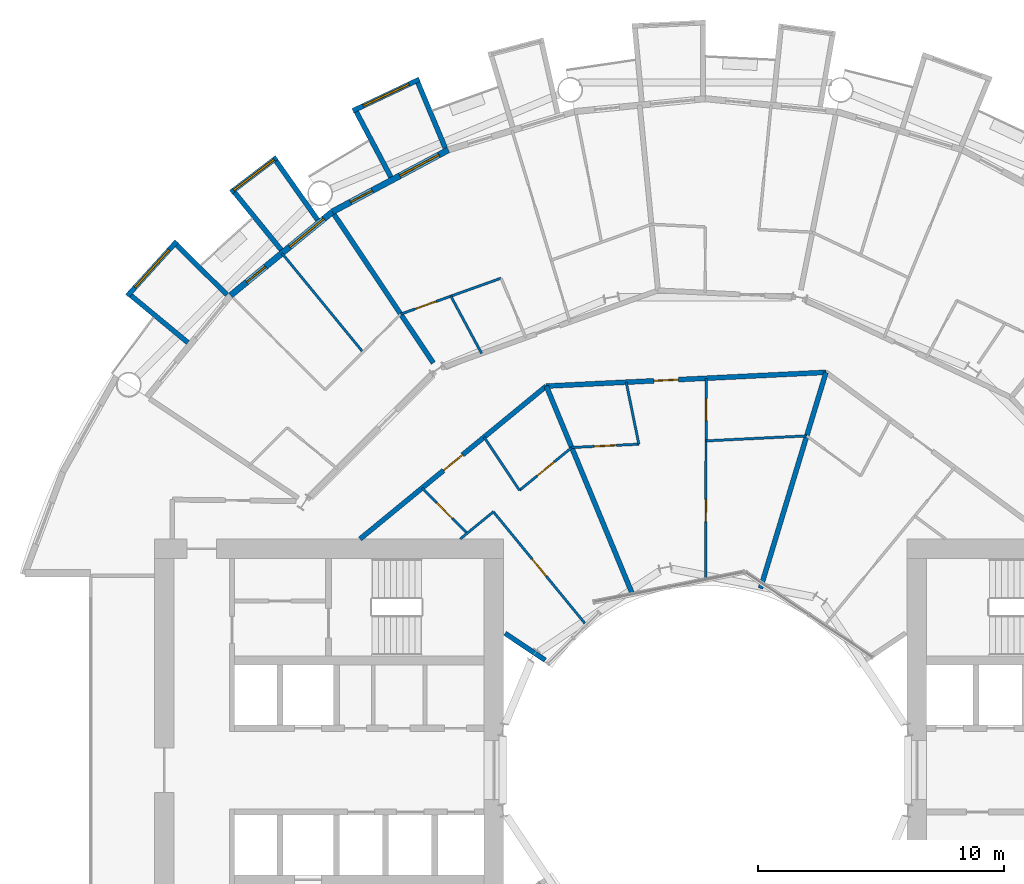
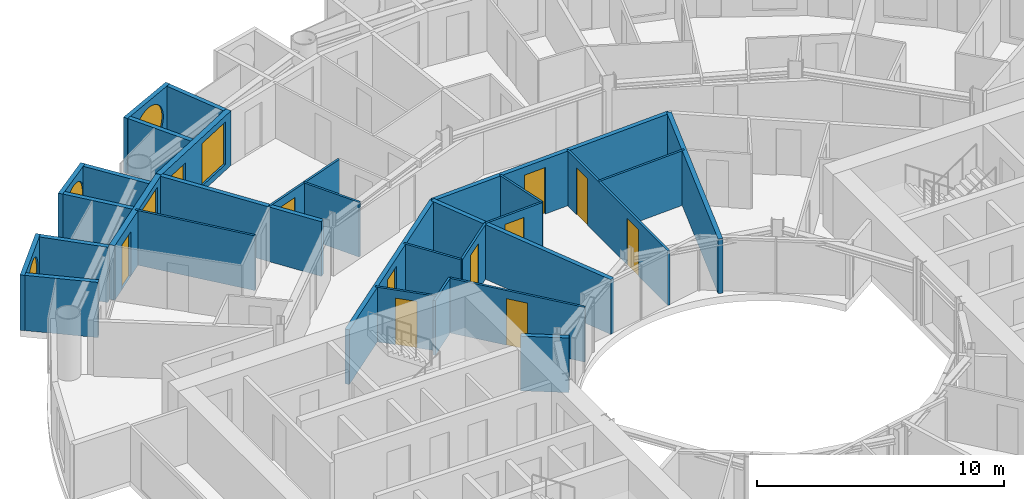
# One storey, part 19 of 26: 29 walls, 11 doors, 5 windows, 16 openings.
"""IFC4 building model written with IfcOpenShell, lengths in metres."""

from ifc_helpers import new_model, si_unit, direction, frame, frame_2d, origin, place, context, subcontext, project, spatial, rectangle, circle, extrude, material, layer, layer_set, type_object, element, fill, save


model = new_model("IFC4")

# Units and contexts
model_context = context("Model", 3, precision=1e-05, world=origin(), true_north=direction((0.0, 1.0)))
body_context = subcontext(model_context, "Body", "Model", "MODEL_VIEW")
ifc_project = project(units=[si_unit("LENGTHUNIT", "METRE"), si_unit("AREAUNIT", "SQUARE_METRE"), si_unit("VOLUMEUNIT", "CUBIC_METRE"), si_unit("PLANEANGLEUNIT", "RADIAN"), si_unit("MASSUNIT", "GRAM", prefix="KILO")], contexts=[model_context])

# Site, building, storey
site_placement = place(None, origin())
site = spatial("IfcSite", under=ifc_project, at=site_placement, CompositionType="ELEMENT")
building_placement = place(site_placement, origin())
building = spatial("IfcBuilding", under=site, at=building_placement, Name="Maasbend Ring Residences", CompositionType="ELEMENT")
storey_placement = place(building_placement, frame((0.0, 0.0, 44.14990234375)))
storey = spatial("IfcBuildingStorey", under=building, at=storey_placement, Name="L12", CompositionType="ELEMENT", Elevation=44.14990234375)

# Wall, opening, door
ifc_material_1 = material(Name="Concrete C30/37", Category="concrete")
ifc_layer_1 = layer(ifc_material_1, 0.199951171875)
ifc_layer_set_1 = layer_set([ifc_layer_1], Name="Concrete C30/37")
wall_type_1 = type_object("IfcWallType", Name="CORRIDOR WALL 200 CONCRETE", PredefinedType="PARTITIONING", material=ifc_layer_set_1)
wall_1_placement = place(storey_placement, frame((-6.471923828125, 15.613037109375, 0.0), z_axis=(0.0, 0.0, 1.0), x_axis=(0.998789903976, 0.049180562371, 0.0)))
wall_1 = element("IfcWall", 1, at=wall_1_placement, inside=storey, type_object=wall_type_1, Name="U-L12-w103", PredefinedType="PARTITIONING", context=body_context, shape_type="SweptSolid", body=[
    extrude(rectangle(XDim=11.3876953125, YDim=0.199951171875, at=frame_2d((5.69384765625, 0.0))), origin(), (0.0, 0.0, 1.0), 2.7001953125),
])
opening_1_placement = place(wall_1_placement, frame((4.383056640625, 0.0, 0.0)))
opening_1 = element("IfcOpeningElement", 2, at=opening_1_placement, cuts=wall_1, Name="Opening D-1227", PredefinedType="OPENING", context=body_context, shape_type="SweptSolid", body=[
    extrude(rectangle(XDim=1.0, YDim=2.300048828125, at=frame_2d((0.5, 1.14990234375))), frame((0.0, 0.10986328125, 0.0), z_axis=(0.0, -1.0, 0.0), x_axis=(1.0, 0.0, 0.0)), (0.0, 0.0, 1.0), 0.219970703125),
])
ifc_material_2 = material(Name="Timber, fire-rated, painted", Category="wood")
door_type_1 = type_object("IfcDoorType", Name="FLAT ENTRANCE DOOR 1000 X 2300 FIRE-RATED", OperationType="NOTDEFINED", PredefinedType="DOOR", material=ifc_material_2)
door_1_placement = place(opening_1_placement, origin())
door_1 = element("IfcDoor", 3, at=door_1_placement, inside=storey, type_object=door_type_1, Name="D-1227", OperationType="SINGLE_SWING_LEFT", OverallHeight=2.300048828125, OverallWidth=1.0, PredefinedType="DOOR", context=body_context, shape_type="SweptSolid", body=[
    extrude(rectangle(XDim=1.0, YDim=2.300048828125, at=frame_2d((0.5, 1.14990234375))), frame((0.0, 0.02490234375, 0.0), z_axis=(0.0, -1.0, 0.0), x_axis=(1.0, 0.0, 0.0)), (0.0, 0.0, 1.0), 0.050048828125),
])
fill(opening_1, door_1)

wall_2_placement = place(storey_placement, frame((-14.0390625, 9.39990234375, 0.0), z_axis=(0.0, 0.0, 1.0), x_axis=(0.77298340166, 0.634426245326, 0.0)))
wall_2 = element("IfcWall", 4, at=wall_2_placement, inside=storey, type_object=wall_type_1, Name="U-L12-w105", PredefinedType="PARTITIONING", context=body_context, shape_type="SweptSolid", body=[
    extrude(rectangle(XDim=9.793212890625, YDim=0.199951171875, at=frame_2d((4.896484375, 0.0))), origin(), (0.0, 0.0, 1.0), 2.7001953125),
])
opening_2_placement = place(wall_2_placement, frame((4.388916015625, 0.0, 0.0)))
opening_2 = element("IfcOpeningElement", 5, at=opening_2_placement, cuts=wall_2, Name="Opening D-1231", PredefinedType="OPENING", context=body_context, shape_type="SweptSolid", body=[
    extrude(rectangle(XDim=1.0, YDim=2.300048828125, at=frame_2d((0.5, 1.14990234375))), frame((0.0, 0.10986328125, 0.0), z_axis=(0.0, -1.0, 0.0), x_axis=(1.0, 0.0, 0.0)), (0.0, 0.0, 1.0), 0.219970703125),
])
door_2_placement = place(opening_2_placement, origin())
door_2 = element("IfcDoor", 6, at=door_2_placement, inside=storey, type_object=door_type_1, Name="D-1231", OperationType="SINGLE_SWING_LEFT", OverallHeight=2.300048828125, OverallWidth=1.0, PredefinedType="DOOR", context=body_context, shape_type="SweptSolid", body=[
    extrude(rectangle(XDim=1.0, YDim=2.300048828125, at=frame_2d((0.5, 1.14990234375))), frame((0.0, 0.02490234375, 0.0), z_axis=(0.0, -1.0, 0.0), x_axis=(1.0, 0.0, 0.0)), (0.0, 0.0, 1.0), 0.050048828125),
])
fill(opening_2, door_2)

# Wall, opening, window
ifc_material_3 = material(Name="Pale anodised aluminium panel", Category="aluminium")
ifc_layer_2 = layer(ifc_material_3, 0.199951171875)
ifc_layer_set_2 = layer_set([ifc_layer_2], Name="EW-BOX")
wall_type_2 = type_object("IfcWallType", Name="EW-BOX", PredefinedType="SOLIDWALL", material=ifc_layer_set_2)
wall_3_placement = place(storey_placement, frame((-11.62890625, 28.087890625, -0.02978515625), z_axis=(0.0, 0.0, 1.0), x_axis=(-0.904000060331, -0.427532327342, 0.0)))
wall_3 = element("IfcWall", 7, at=wall_3_placement, inside=storey, type_object=wall_type_2, Name="Box front N15", PredefinedType="SOLIDWALL", context=body_context, shape_type="SweptSolid", body=[
    extrude(rectangle(XDim=2.993408203125, YDim=0.199951171875, at=frame_2d((1.49658203125, 0.0))), origin(), (0.0, 0.0, 1.0), 2.72998046875),
])
opening_3_placement = place(wall_3_placement, frame((0.45654296875, 0.0, 0.330078125)))
opening_3 = element("IfcOpeningElement", 8, at=opening_3_placement, cuts=wall_3, Name="Opening W-RD", PredefinedType="OPENING", context=body_context, shape_type="SweptSolid", body=[
    extrude(circle(Radius=1.0400390625, at=frame_2d((1.0400390625, 1.0400390625))), frame((0.0, 0.10986328125, 0.0), z_axis=(0.0, -1.0, 0.0), x_axis=(1.0, 0.0, 0.0)), (0.0, 0.0, 1.0), 0.219970703125),
])
ifc_material_4 = material(Name="Aluminium and clear glass", Category="aluminium")
window_type_1 = type_object("IfcWindowType", Name="W-RD", PartitioningType="SINGLE_PANEL", PredefinedType="WINDOW", material=ifc_material_4)
window_1_placement = place(opening_3_placement, origin())
window_1 = element("IfcWindow", 9, at=window_1_placement, inside=storey, type_object=window_type_1, Name="Round window N15", OverallHeight=2.080078125, OverallWidth=2.080078125, PartitioningType="SINGLE_PANEL", PredefinedType="WINDOW", context=body_context, shape_type="SweptSolid", body=[
    extrude(circle(Radius=1.0400390625, at=frame_2d((1.0400390625, 1.0400390625))), frame((0.0, 0.030029296875, 0.0), z_axis=(0.0, -1.0, 0.0), x_axis=(1.0, 0.0, 0.0)), (0.0, 0.0, 1.0), 0.06005859375),
])
fill(opening_3, window_1)

# Walls
wall_4_placement = place(storey_placement, frame((-10.574951171875, 25.294921875, -0.02978515625), z_axis=(0.0, 0.0, 1.0), x_axis=(-0.385697364644, 0.922625353492, 0.0)))
element("IfcWall", 10, at=wall_4_placement, inside=storey, type_object=wall_type_2, Name="Box side wall N15 left", PredefinedType="SOLIDWALL", context=body_context, shape_type="SweptSolid", body=[
    extrude(rectangle(XDim=2.88330078125, YDim=0.199951171875, at=frame_2d((1.441650390625, 0.0))), origin(), (0.0, 0.0, 1.0), 2.72998046875),
])
wall_5_placement = place(storey_placement, frame((-12.787109375, 24.113037109375, -0.02978515625), z_axis=(0.0, 0.0, 1.0), x_axis=(-0.468365282436, 0.883534924159, 0.0)))
element("IfcWall", 11, at=wall_5_placement, inside=storey, type_object=wall_type_2, Name="Box side wall N15 right", PredefinedType="SOLIDWALL", context=body_context, shape_type="SweptSolid", body=[
    extrude(rectangle(XDim=3.006103515625, YDim=0.199951171875, at=frame_2d((1.5029296875, 0.0))), origin(), (0.0, 0.0, 1.0), 2.72998046875),
])

# Wall, opening, window
wall_6_placement = place(storey_placement, frame((-17.427001953125, 24.908935546875, -0.02978515625), z_axis=(0.0, 0.0, 1.0), x_axis=(-0.796842165306, -0.60418752353, 0.0)))
wall_6 = element("IfcWall", 12, at=wall_6_placement, inside=storey, type_object=wall_type_2, Name="Box front N17", PredefinedType="SOLIDWALL", context=body_context, shape_type="SweptSolid", body=[
    extrude(rectangle(XDim=2.3369140625, YDim=0.199951171875, at=frame_2d((1.16845703125, 0.0))), origin(), (0.0, 0.0, 1.0), 2.72998046875),
])
opening_4_placement = place(wall_6_placement, frame((0.128173828125, 0.0, 0.330078125)))
opening_4 = element("IfcOpeningElement", 13, at=opening_4_placement, cuts=wall_6, Name="Opening W-RD", PredefinedType="OPENING", context=body_context, shape_type="SweptSolid", body=[
    extrude(circle(Radius=1.0400390625, at=frame_2d((1.0400390625, 1.0400390625))), frame((0.0, 0.10986328125, 0.0), z_axis=(0.0, -1.0, 0.0), x_axis=(1.0, 0.0, 0.0)), (0.0, 0.0, 1.0), 0.219970703125),
])
window_2_placement = place(opening_4_placement, origin())
window_2 = element("IfcWindow", 14, at=window_2_placement, inside=storey, type_object=window_type_1, Name="Round window N17", OverallHeight=2.080078125, OverallWidth=2.080078125, PartitioningType="SINGLE_PANEL", PredefinedType="WINDOW", context=body_context, shape_type="SweptSolid", body=[
    extrude(circle(Radius=1.0400390625, at=frame_2d((1.0400390625, 1.0400390625))), frame((0.0, 0.030029296875, 0.0), z_axis=(0.0, -1.0, 0.0), x_axis=(1.0, 0.0, 0.0)), (0.0, 0.0, 1.0), 0.06005859375),
])
fill(opening_4, window_2)

# Walls
wall_7_placement = place(storey_placement, frame((-15.764892578125, 22.3701171875, -0.02978515625), z_axis=(0.0, 0.0, 1.0), x_axis=(-0.576274612209, 0.817256123454, 0.0)))
element("IfcWall", 15, at=wall_7_placement, inside=storey, type_object=wall_type_2, Name="Box side wall N17 left", PredefinedType="SOLIDWALL", context=body_context, shape_type="SweptSolid", body=[
    extrude(rectangle(XDim=2.932861328125, YDim=0.199951171875, at=frame_2d((1.46630859375, 0.0))), origin(), (0.0, 0.0, 1.0), 2.72998046875),
])
wall_8_placement = place(storey_placement, frame((-17.24609375, 21.155029296875, -0.02978515625), z_axis=(0.0, 0.0, 1.0), x_axis=(-0.631741648902, 0.775179004516, 0.0)))
element("IfcWall", 16, at=wall_8_placement, inside=storey, type_object=wall_type_2, Name="Box side wall N17 right", PredefinedType="SOLIDWALL", context=body_context, shape_type="SweptSolid", body=[
    extrude(rectangle(XDim=3.005859375, YDim=0.199951171875, at=frame_2d((1.5029296875, 0.0))), origin(), (0.0, 0.0, 1.0), 2.72998046875),
])

# Wall, opening, window
wall_9_placement = place(storey_placement, frame((-21.492919921875, 21.5, -0.02978515625), z_axis=(0.0, 0.0, 1.0), x_axis=(-0.671506829416, -0.740998365753, 0.0)))
wall_9 = element("IfcWall", 17, at=wall_9_placement, inside=storey, type_object=wall_type_2, Name="Box front N19", PredefinedType="SOLIDWALL", context=body_context, shape_type="SweptSolid", body=[
    extrude(rectangle(XDim=2.9931640625, YDim=0.199951171875, at=frame_2d((1.49658203125, 0.0))), origin(), (0.0, 0.0, 1.0), 2.72998046875),
])
opening_5_placement = place(wall_9_placement, frame((0.45654296875, 0.0, 0.330078125)))
opening_5 = element("IfcOpeningElement", 18, at=opening_5_placement, cuts=wall_9, Name="Opening W-RD", PredefinedType="OPENING", context=body_context, shape_type="SweptSolid", body=[
    extrude(circle(Radius=1.0400390625, at=frame_2d((1.0400390625, 1.0400390625))), frame((0.0, 0.10986328125, 0.0), z_axis=(0.0, -1.0, 0.0), x_axis=(1.0, 0.0, 0.0)), (0.0, 0.0, 1.0), 0.219970703125),
])
window_3_placement = place(opening_5_placement, origin())
window_3 = element("IfcWindow", 19, at=window_3_placement, inside=storey, type_object=window_type_1, Name="Round window N19", OverallHeight=2.080078125, OverallWidth=2.080078125, PartitioningType="SINGLE_PANEL", PredefinedType="WINDOW", context=body_context, shape_type="SweptSolid", body=[
    extrude(circle(Radius=1.0400390625, at=frame_2d((1.0400390625, 1.0400390625))), frame((0.0, 0.030029296875, 0.0), z_axis=(0.0, -1.0, 0.0), x_axis=(1.0, 0.0, 0.0)), (0.0, 0.0, 1.0), 0.06005859375),
])
fill(opening_5, window_3)

# Walls
wall_10_placement = place(storey_placement, frame((-19.449951171875, 19.322998046875, -0.02978515625), z_axis=(0.0, 0.0, 1.0), x_axis=(-0.709727076896, 0.704476739375, 0.0)))
element("IfcWall", 20, at=wall_10_placement, inside=storey, type_object=wall_type_2, Name="Box side wall N19 left", PredefinedType="SOLIDWALL", context=body_context, shape_type="SweptSolid", body=[
    extrude(rectangle(XDim=2.883056640625, YDim=0.199951171875, at=frame_2d((1.44140625, 0.0))), origin(), (0.0, 0.0, 1.0), 2.72998046875),
])
wall_11_placement = place(storey_placement, frame((-21.041015625, 17.384033203125, -0.02978515625), z_axis=(0.0, 0.0, 1.0), x_axis=(-0.770784861449, 0.63709551667, 0.0)))
element("IfcWall", 21, at=wall_11_placement, inside=storey, type_object=wall_type_2, Name="Box side wall N19 right", PredefinedType="SOLIDWALL", context=body_context, shape_type="SweptSolid", body=[
    extrude(rectangle(XDim=3.005859375, YDim=0.199951171875, at=frame_2d((1.5029296875, 0.0))), origin(), (0.0, 0.0, 1.0), 2.72998046875),
])

# Wall, openings, door, window
ifc_material_5 = material(Name="Aluminium clad insulated panel", Category="aluminium")
ifc_layer_3 = layer(ifc_material_5, 0.25)
ifc_layer_set_3 = layer_set([ifc_layer_3], Name="EW-GL")
wall_type_3 = type_object("IfcWallType", Name="EW-GL", PredefinedType="SOLIDWALL", material=ifc_layer_set_3)
wall_12_placement = place(storey_placement, frame((-10.447021484375, 25.221923828125, 0.0), z_axis=(0.0, 0.0, 1.0), x_axis=(-0.881915646801, -0.471407246368, 0.0)))
wall_12 = element("IfcWall", 22, at=wall_12_placement, inside=storey, type_object=wall_type_3, Name="External wall N08", PredefinedType="SOLIDWALL", context=body_context, shape_type="SweptSolid", body=[
    extrude(rectangle(XDim=5.35205078125, YDim=0.25, at=frame_2d((2.676025390625, 0.0))), origin(), (0.0, 0.0, 1.0), 2.7001953125),
])
opening_6_placement = place(wall_12_placement, frame((0.441162109375, 0.0, 0.300048828125)))
opening_6 = element("IfcOpeningElement", 23, at=opening_6_placement, cuts=wall_12, Name="Opening W-BX", PredefinedType="OPENING", context=body_context, shape_type="SweptSolid", body=[
    extrude(rectangle(XDim=1.800048828125, YDim=2.10009765625, at=frame_2d((0.89990234375, 1.050048828125))), frame((0.0, 0.135009765625, 0.0), z_axis=(0.0, -1.0, 0.0), x_axis=(1.0, 0.0, 0.0)), (0.0, 0.0, 1.0), 0.27001953125),
])
opening_7_placement = place(wall_12_placement, frame((3.510498046875, 0.0, 0.0)))
opening_7 = element("IfcOpeningElement", 24, at=opening_7_placement, cuts=wall_12, Name="Opening D-LG", PredefinedType="OPENING", context=body_context, shape_type="SweptSolid", body=[
    extrude(rectangle(XDim=1.0, YDim=2.199951171875, at=frame_2d((0.5, 1.10009765625))), frame((0.0, 0.135009765625, 0.0), z_axis=(0.0, -1.0, 0.0), x_axis=(1.0, 0.0, 0.0)), (0.0, 0.0, 1.0), 0.27001953125),
])
ifc_material_6 = material(Name="Aluminium and clear glass", Category="aluminium")
door_type_2 = type_object("IfcDoorType", Name="D-LG", OperationType="SINGLE_SWING_LEFT", PredefinedType="DOOR", material=ifc_material_6)
door_3_placement = place(opening_7_placement, origin())
door_3 = element("IfcDoor", 25, at=door_3_placement, inside=storey, type_object=door_type_2, Name="Loggia door N16", OperationType="SINGLE_SWING_LEFT", OverallHeight=2.199951171875, OverallWidth=1.0, PredefinedType="DOOR", context=body_context, shape_type="SweptSolid", body=[
    extrude(rectangle(XDim=1.0, YDim=2.199951171875, at=frame_2d((0.5, 1.10009765625))), frame((0.0, 0.02490234375, 0.0), z_axis=(0.0, -1.0, 0.0), x_axis=(1.0, 0.0, 0.0)), (0.0, 0.0, 1.0), 0.050048828125),
])
fill(opening_7, door_3)
ifc_material_7 = material(Name="Aluminium and clear glass", Category="aluminium")
window_type_2 = type_object("IfcWindowType", Name="W-BX", PartitioningType="DOUBLE_PANEL_VERTICAL", PredefinedType="WINDOW", material=ifc_material_7)
window_4_placement = place(opening_6_placement, origin())
window_4 = element("IfcWindow", 26, at=window_4_placement, inside=storey, type_object=window_type_2, Name="Window N15 room to box", OverallHeight=2.10009765625, OverallWidth=1.800048828125, PartitioningType="SINGLE_PANEL", PredefinedType="WINDOW", context=body_context, shape_type="SweptSolid", body=[
    extrude(rectangle(XDim=1.800048828125, YDim=2.10009765625, at=frame_2d((0.89990234375, 1.050048828125))), frame((0.0, 0.030029296875, 0.0), z_axis=(0.0, -1.0, 0.0), x_axis=(1.0, 0.0, 0.0)), (0.0, 0.0, 1.0), 0.06005859375),
])
fill(opening_6, window_4)

wall_13_placement = place(storey_placement, frame((-15.1669921875, 22.698974609375, 0.0), z_axis=(0.0, 0.0, 1.0), x_axis=(-0.773019449054, -0.634382322723, 0.0)))
wall_13 = element("IfcWall", 27, at=wall_13_placement, inside=storey, type_object=wall_type_3, Name="External wall N09", PredefinedType="SOLIDWALL", context=body_context, shape_type="SweptSolid", body=[
    extrude(rectangle(XDim=5.351806640625, YDim=0.25, at=frame_2d((2.67578125, 0.0))), origin(), (0.0, 0.0, 1.0), 2.7001953125),
])
opening_8_placement = place(wall_13_placement, frame((0.441162109375, 0.0, 0.300048828125)))
opening_8 = element("IfcOpeningElement", 28, at=opening_8_placement, cuts=wall_13, Name="Opening W-BX", PredefinedType="OPENING", context=body_context, shape_type="SweptSolid", body=[
    extrude(rectangle(XDim=1.800048828125, YDim=2.10009765625, at=frame_2d((0.89990234375, 1.050048828125))), frame((0.0, 0.135009765625, 0.0), z_axis=(0.0, -1.0, 0.0), x_axis=(1.0, 0.0, 0.0)), (0.0, 0.0, 1.0), 0.27001953125),
])
opening_9_placement = place(wall_13_placement, frame((3.510498046875, 0.0, 0.0)))
opening_9 = element("IfcOpeningElement", 29, at=opening_9_placement, cuts=wall_13, Name="Opening D-LG", PredefinedType="OPENING", context=body_context, shape_type="SweptSolid", body=[
    extrude(rectangle(XDim=1.0, YDim=2.199951171875, at=frame_2d((0.5, 1.10009765625))), frame((0.0, 0.135009765625, 0.0), z_axis=(0.0, -1.0, 0.0), x_axis=(1.0, 0.0, 0.0)), (0.0, 0.0, 1.0), 0.27001953125),
])
door_4_placement = place(opening_9_placement, origin())
door_4 = element("IfcDoor", 30, at=door_4_placement, inside=storey, type_object=door_type_2, Name="Loggia door N18", OperationType="SINGLE_SWING_LEFT", OverallHeight=2.199951171875, OverallWidth=1.0, PredefinedType="DOOR", context=body_context, shape_type="SweptSolid", body=[
    extrude(rectangle(XDim=1.0, YDim=2.199951171875, at=frame_2d((0.5, 1.10009765625))), frame((0.0, 0.02490234375, 0.0), z_axis=(0.0, -1.0, 0.0), x_axis=(1.0, 0.0, 0.0)), (0.0, 0.0, 1.0), 0.050048828125),
])
fill(opening_9, door_4)
window_5_placement = place(opening_8_placement, origin())
window_5 = element("IfcWindow", 31, at=window_5_placement, inside=storey, type_object=window_type_2, Name="Window N17 room to box", OverallHeight=2.10009765625, OverallWidth=1.800048828125, PartitioningType="SINGLE_PANEL", PredefinedType="WINDOW", context=body_context, shape_type="SweptSolid", body=[
    extrude(rectangle(XDim=1.800048828125, YDim=2.10009765625, at=frame_2d((0.89990234375, 1.050048828125))), frame((0.0, 0.030029296875, 0.0), z_axis=(0.0, -1.0, 0.0), x_axis=(1.0, 0.0, 0.0)), (0.0, 0.0, 1.0), 0.06005859375),
])
fill(opening_8, window_5)

# Wall
ifc_material_8 = material(Name="Gypsum board on steel studs", Category="steel")
ifc_layer_4 = layer(ifc_material_8, 0.10009765625)
ifc_layer_set_4 = layer_set([ifc_layer_4], Name="PARTITION 100 GYPSUM")
wall_type_4 = type_object("IfcWallType", Name="PARTITION 100 GYPSUM", PredefinedType="PARTITIONING", material=ifc_layer_set_4)
wall_14_placement = place(storey_placement, frame((-17.220947265625, 21.02197265625, 0.0), z_axis=(0.0, 0.0, 1.0), x_axis=(0.633662498939, -0.773609615658, 0.0)))
element("IfcWall", 32, at=wall_14_placement, inside=storey, type_object=wall_type_4, Name="U-L12-w035", PredefinedType="PARTITIONING", context=body_context, shape_type="SweptSolid", body=[
    extrude(rectangle(XDim=5.195068359375, YDim=0.10009765625, at=frame_2d((2.59765625, 0.0))), origin(), (0.0, 0.0, 1.0), 2.7001953125),
])

# Wall, opening, door
wall_15_placement = place(storey_placement, frame((-11.52392578125, 11.464111328125, 0.0), z_axis=(0.0, 0.0, 1.0), x_axis=(0.708796844581, -0.705412668665, 0.0)))
wall_15 = element("IfcWall", 33, at=wall_15_placement, inside=storey, type_object=wall_type_4, Name="U-L12-w044", PredefinedType="PARTITIONING", context=body_context, shape_type="SweptSolid", body=[
    extrude(rectangle(XDim=2.59716796875, YDim=0.10009765625, at=frame_2d((1.298583984375, 0.0))), origin(), (0.0, 0.0, 1.0), 2.7001953125),
])
opening_10_placement = place(wall_15_placement, frame((0.84912109375, 0.0, 0.0)))
opening_10 = element("IfcOpeningElement", 34, at=opening_10_placement, cuts=wall_15, Name="Opening D-1233", PredefinedType="OPENING", context=body_context, shape_type="SweptSolid", body=[
    extrude(rectangle(XDim=0.89990234375, YDim=2.300048828125, at=frame_2d((0.449951171875, 1.14990234375))), frame((0.0, 0.06005859375, 0.0), z_axis=(0.0, -1.0, 0.0), x_axis=(1.0, 0.0, 0.0)), (0.0, 0.0, 1.0), 0.1201171875),
])
ifc_material_9 = material(Name="Timber, painted", Category="wood")
door_type_3 = type_object("IfcDoorType", Name="INTERNAL DOOR 900 X 2300", OperationType="NOTDEFINED", PredefinedType="DOOR", material=ifc_material_9)
door_5_placement = place(opening_10_placement, origin())
door_5 = element("IfcDoor", 35, at=door_5_placement, inside=storey, type_object=door_type_3, Name="D-1233", OperationType="SINGLE_SWING_RIGHT", OverallHeight=2.300048828125, OverallWidth=0.89990234375, PredefinedType="DOOR", context=body_context, shape_type="SweptSolid", body=[
    extrude(rectangle(XDim=0.89990234375, YDim=2.300048828125, at=frame_2d((0.449951171875, 1.14990234375))), frame((0.0, 0.02490234375, 0.0), z_axis=(0.0, -1.0, 0.0), x_axis=(1.0, 0.0, 0.0)), (0.0, 0.0, 1.0), 0.050048828125),
])
fill(opening_10, door_5)

# Walls
wall_16_placement = place(storey_placement, frame((-10.34912109375, 19.27197265625, 0.0), z_axis=(0.0, 0.0, 1.0), x_axis=(0.473203488521, -0.880953153381, 0.0)))
element("IfcWall", 36, at=wall_16_placement, inside=storey, type_object=wall_type_4, Name="U-L12-w046", PredefinedType="PARTITIONING", context=body_context, shape_type="SweptSolid", body=[
    extrude(rectangle(XDim=2.648193359375, YDim=0.10009765625, at=frame_2d((1.32421875, 0.0))), origin(), (0.0, 0.0, 1.0), 2.7001953125),
])
wall_17_placement = place(storey_placement, frame((-8.99609375, 13.5390625, 0.0), z_axis=(0.0, 0.0, 1.0), x_axis=(0.553615197403, -0.83277260594, 0.0)))
element("IfcWall", 37, at=wall_17_placement, inside=storey, type_object=wall_type_4, Name="U-L12-w048", PredefinedType="PARTITIONING", context=body_context, shape_type="SweptSolid", body=[
    extrude(rectangle(XDim=2.597412109375, YDim=0.10009765625, at=frame_2d((1.298828125, 0.0))), origin(), (0.0, 0.0, 1.0), 2.7001953125),
])

# Wall, opening, door
wall_18_placement = place(storey_placement, frame((-8.6201171875, 10.50390625, 0.0), z_axis=(0.0, 0.0, 1.0), x_axis=(0.634358693064, -0.773038840249, 0.0)))
wall_18 = element("IfcWall", 38, at=wall_18_placement, inside=storey, type_object=wall_type_4, Name="U-L12-w050", PredefinedType="PARTITIONING", context=body_context, shape_type="SweptSolid", body=[
    extrude(rectangle(XDim=5.86767578125, YDim=0.10009765625, at=frame_2d((2.933837890625, 0.0))), origin(), (0.0, 0.0, 1.0), 2.7001953125),
])
opening_11_placement = place(wall_18_placement, frame((2.48388671875, 0.0, 0.0)))
opening_11 = element("IfcOpeningElement", 39, at=opening_11_placement, cuts=wall_18, Name="Opening D-1234", PredefinedType="OPENING", context=body_context, shape_type="SweptSolid", body=[
    extrude(rectangle(XDim=0.89990234375, YDim=2.300048828125, at=frame_2d((0.449951171875, 1.14990234375))), frame((0.0, 0.06005859375, 0.0), z_axis=(0.0, -1.0, 0.0), x_axis=(1.0, 0.0, 0.0)), (0.0, 0.0, 1.0), 0.1201171875),
])
door_6_placement = place(opening_11_placement, origin())
door_6 = element("IfcDoor", 40, at=door_6_placement, inside=storey, type_object=door_type_3, Name="D-1234", OperationType="SINGLE_SWING_RIGHT", OverallHeight=2.300048828125, OverallWidth=0.89990234375, PredefinedType="DOOR", context=body_context, shape_type="SweptSolid", body=[
    extrude(rectangle(XDim=0.89990234375, YDim=2.300048828125, at=frame_2d((0.449951171875, 1.14990234375))), frame((0.0, 0.02490234375, 0.0), z_axis=(0.0, -1.0, 0.0), x_axis=(1.0, 0.0, 0.0)), (0.0, 0.0, 1.0), 0.050048828125),
])
fill(opening_11, door_6)

# Wall
wall_19_placement = place(storey_placement, frame((-3.218017578125, 15.77294921875, 0.0), z_axis=(0.0, 0.0, 1.0), x_axis=(0.199820523641, -0.979832515449, 0.0)))
element("IfcWall", 41, at=wall_19_placement, inside=storey, type_object=wall_type_4, Name="U-L12-w059", PredefinedType="PARTITIONING", context=body_context, shape_type="SweptSolid", body=[
    extrude(rectangle(XDim=2.57177734375, YDim=0.10009765625, at=frame_2d((1.285888671875, 0.0))), origin(), (0.0, 0.0, 1.0), 2.7001953125),
])

# Wall, openings, doors
wall_20_placement = place(storey_placement, frame((0.01611328125, 7.719970703125, 0.0), z_axis=(0.0, 0.0, 1.0), x_axis=(0.0019321625, 0.999998133372, 0.0)))
wall_20 = element("IfcWall", 42, at=wall_20_placement, inside=storey, type_object=wall_type_4, Name="U-L12-w064", PredefinedType="PARTITIONING", context=body_context, shape_type="SweptSolid", body=[
    extrude(rectangle(XDim=8.213134765625, YDim=0.10009765625, at=frame_2d((4.1064453125, 0.0))), origin(), (0.0, 0.0, 1.0), 2.7001953125),
])
opening_12_placement = place(wall_20_placement, frame((6.489990234375, 0.0, 0.0)))
opening_12 = element("IfcOpeningElement", 43, at=opening_12_placement, cuts=wall_20, Name="Opening D-1229", PredefinedType="OPENING", context=body_context, shape_type="SweptSolid", body=[
    extrude(rectangle(XDim=0.89990234375, YDim=2.300048828125, at=frame_2d((0.449951171875, 1.14990234375))), frame((0.0, 0.06005859375, 0.0), z_axis=(0.0, -1.0, 0.0), x_axis=(1.0, 0.0, 0.0)), (0.0, 0.0, 1.0), 0.1201171875),
])
opening_13_placement = place(wall_20_placement, frame((2.384033203125, 0.0, 0.0)))
opening_13 = element("IfcOpeningElement", 44, at=opening_13_placement, cuts=wall_20, Name="Opening D-1230", PredefinedType="OPENING", context=body_context, shape_type="SweptSolid", body=[
    extrude(rectangle(XDim=0.89990234375, YDim=2.300048828125, at=frame_2d((0.449951171875, 1.14990234375))), frame((0.0, 0.06005859375, 0.0), z_axis=(0.0, -1.0, 0.0), x_axis=(1.0, 0.0, 0.0)), (0.0, 0.0, 1.0), 0.1201171875),
])
door_7_placement = place(opening_12_placement, origin())
door_7 = element("IfcDoor", 45, at=door_7_placement, inside=storey, type_object=door_type_3, Name="D-1229", OperationType="SINGLE_SWING_RIGHT", OverallHeight=2.300048828125, OverallWidth=0.89990234375, PredefinedType="DOOR", context=body_context, shape_type="SweptSolid", body=[
    extrude(rectangle(XDim=0.89990234375, YDim=2.300048828125, at=frame_2d((0.449951171875, 1.14990234375))), frame((0.0, 0.02490234375, 0.0), z_axis=(0.0, -1.0, 0.0), x_axis=(1.0, 0.0, 0.0)), (0.0, 0.0, 1.0), 0.050048828125),
])
fill(opening_12, door_7)
door_8_placement = place(opening_13_placement, origin())
door_8 = element("IfcDoor", 46, at=door_8_placement, inside=storey, type_object=door_type_3, Name="D-1230", OperationType="SINGLE_SWING_LEFT", OverallHeight=2.300048828125, OverallWidth=0.89990234375, PredefinedType="DOOR", context=body_context, shape_type="SweptSolid", body=[
    extrude(rectangle(XDim=0.89990234375, YDim=2.300048828125, at=frame_2d((0.449951171875, 1.14990234375))), frame((0.0, 0.02490234375, 0.0), z_axis=(0.0, -1.0, 0.0), x_axis=(1.0, 0.0, 0.0)), (0.0, 0.0, 1.0), 0.050048828125),
])
fill(opening_13, door_8)

# Wall, opening, door
wall_21_placement = place(storey_placement, frame((-5.43701171875, 13.116943359375, 0.0), z_axis=(0.0, 0.0, 1.0), x_axis=(0.998779365748, 0.049394114582, 0.0)))
wall_21 = element("IfcWall", 47, at=wall_21_placement, inside=storey, type_object=wall_type_4, Name="U-L12-w097", PredefinedType="PARTITIONING", context=body_context, shape_type="SweptSolid", body=[
    extrude(rectangle(XDim=2.7333984375, YDim=0.10009765625, at=frame_2d((1.36669921875, 0.0))), origin(), (0.0, 0.0, 1.0), 2.7001953125),
])
opening_14_placement = place(wall_21_placement, frame((0.919921875, 0.0, 0.0)))
opening_14 = element("IfcOpeningElement", 48, at=opening_14_placement, cuts=wall_21, Name="Opening D-1228", PredefinedType="OPENING", context=body_context, shape_type="SweptSolid", body=[
    extrude(rectangle(XDim=0.89990234375, YDim=2.300048828125, at=frame_2d((0.449951171875, 1.14990234375))), frame((0.0, 0.06005859375, 0.0), z_axis=(0.0, -1.0, 0.0), x_axis=(1.0, 0.0, 0.0)), (0.0, 0.0, 1.0), 0.1201171875),
])
door_9_placement = place(opening_14_placement, origin())
door_9 = element("IfcDoor", 49, at=door_9_placement, inside=storey, type_object=door_type_3, Name="D-1228", OperationType="SINGLE_SWING_RIGHT", OverallHeight=2.300048828125, OverallWidth=0.89990234375, PredefinedType="DOOR", context=body_context, shape_type="SweptSolid", body=[
    extrude(rectangle(XDim=0.89990234375, YDim=2.300048828125, at=frame_2d((0.449951171875, 1.14990234375))), frame((0.0, 0.02490234375, 0.0), z_axis=(0.0, -1.0, 0.0), x_axis=(1.0, 0.0, 0.0)), (0.0, 0.0, 1.0), 0.050048828125),
])
fill(opening_14, door_9)

# Walls
wall_22_placement = place(storey_placement, frame((0.027099609375, 13.386962890625, 0.0), z_axis=(0.0, 0.0, 1.0), x_axis=(0.998783768304, 0.049305011635, 0.0)))
element("IfcWall", 50, at=wall_22_placement, inside=storey, type_object=wall_type_4, Name="U-L12-w098", PredefinedType="PARTITIONING", context=body_context, shape_type="SweptSolid", body=[
    extrude(rectangle(XDim=4.099853515625, YDim=0.10009765625, at=frame_2d((2.0498046875, 0.0))), origin(), (0.0, 0.0, 1.0), 2.7001953125),
])
wall_23_placement = place(storey_placement, frame((-9.965087890625, 9.39990234375, 0.0), z_axis=(0.0, 0.0, 1.0), x_axis=(0.773141825369, 0.634233173104, 0.0)))
element("IfcWall", 51, at=wall_23_placement, inside=storey, type_object=wall_type_4, Name="U-L12-w101", PredefinedType="PARTITIONING", context=body_context, shape_type="SweptSolid", body=[
    extrude(rectangle(XDim=1.748779296875, YDim=0.10009765625, at=frame_2d((0.87451171875, 0.0))), origin(), (0.0, 0.0, 1.0), 2.7001953125),
])

# Wall, opening, door
wall_24_placement = place(storey_placement, frame((-7.552001953125, 11.37890625, 0.0), z_axis=(0.0, 0.0, 1.0), x_axis=(0.773323547924, 0.634011585246, 0.0)))
wall_24 = element("IfcWall", 52, at=wall_24_placement, inside=storey, type_object=wall_type_4, Name="U-L12-w102", PredefinedType="PARTITIONING", context=body_context, shape_type="SweptSolid", body=[
    extrude(rectangle(XDim=2.747802734375, YDim=0.10009765625, at=frame_2d((1.3740234375, 0.0))), origin(), (0.0, 0.0, 1.0), 2.7001953125),
])
opening_15_placement = place(wall_24_placement, frame((0.9169921875, 0.0, 0.0)))
opening_15 = element("IfcOpeningElement", 53, at=opening_15_placement, cuts=wall_24, Name="Opening D-1232", PredefinedType="OPENING", context=body_context, shape_type="SweptSolid", body=[
    extrude(rectangle(XDim=0.89990234375, YDim=2.300048828125, at=frame_2d((0.449951171875, 1.14990234375))), frame((0.0, 0.06005859375, 0.0), z_axis=(0.0, -1.0, 0.0), x_axis=(1.0, 0.0, 0.0)), (0.0, 0.0, 1.0), 0.1201171875),
])
door_10_placement = place(opening_15_placement, origin())
door_10 = element("IfcDoor", 54, at=door_10_placement, inside=storey, type_object=door_type_3, Name="D-1232", OperationType="SINGLE_SWING_LEFT", OverallHeight=2.300048828125, OverallWidth=0.89990234375, PredefinedType="DOOR", context=body_context, shape_type="SweptSolid", body=[
    extrude(rectangle(XDim=0.89990234375, YDim=2.300048828125, at=frame_2d((0.449951171875, 1.14990234375))), frame((0.0, 0.02490234375, 0.0), z_axis=(0.0, -1.0, 0.0), x_axis=(1.0, 0.0, 0.0)), (0.0, 0.0, 1.0), 0.050048828125),
])
fill(opening_15, door_10)

wall_25_placement = place(storey_placement, frame((-12.39306640625, 18.5390625, 0.0), z_axis=(0.0, 0.0, 1.0), x_axis=(0.941491894739, 0.337035624439, 0.0)))
wall_25 = element("IfcWall", 55, at=wall_25_placement, inside=storey, type_object=wall_type_4, Name="U-L12-w111", PredefinedType="PARTITIONING", context=body_context, shape_type="SweptSolid", body=[
    extrude(rectangle(XDim=4.334716796875, YDim=0.10009765625, at=frame_2d((2.16748046875, 0.0))), origin(), (0.0, 0.0, 1.0), 2.7001953125),
])
opening_16_placement = place(wall_25_placement, frame((0.636962890625, 0.0, 0.0)))
opening_16 = element("IfcOpeningElement", 56, at=opening_16_placement, cuts=wall_25, Name="Opening D-1214", PredefinedType="OPENING", context=body_context, shape_type="SweptSolid", body=[
    extrude(rectangle(XDim=0.89990234375, YDim=2.300048828125, at=frame_2d((0.449951171875, 1.14990234375))), frame((0.0, 0.06005859375, 0.0), z_axis=(0.0, -1.0, 0.0), x_axis=(1.0, 0.0, 0.0)), (0.0, 0.0, 1.0), 0.1201171875),
])
door_11_placement = place(opening_16_placement, origin())
door_11 = element("IfcDoor", 57, at=door_11_placement, inside=storey, type_object=door_type_3, Name="D-1214", OperationType="SINGLE_SWING_LEFT", OverallHeight=2.300048828125, OverallWidth=0.89990234375, PredefinedType="DOOR", context=body_context, shape_type="SweptSolid", body=[
    extrude(rectangle(XDim=0.89990234375, YDim=2.300048828125, at=frame_2d((0.449951171875, 1.14990234375))), frame((0.0, 0.02490234375, 0.0), z_axis=(0.0, -1.0, 0.0), x_axis=(1.0, 0.0, 0.0)), (0.0, 0.0, 1.0), 0.050048828125),
])
fill(opening_16, door_11)

# Walls
ifc_material_10 = material(Name="Concrete C30/37", Category="concrete")
ifc_layer_5 = layer(ifc_material_10, 0.199951171875)
ifc_layer_set_5 = layer_set([ifc_layer_5], Name="Concrete C30/37")
wall_type_5 = type_object("IfcWallType", Name="PARTY WALL 200 CONCRETE", PredefinedType="PARTITIONING", material=ifc_layer_set_5)
wall_26_placement = place(storey_placement, frame((-15.096923828125, 22.594970703125, 0.0), z_axis=(0.0, 0.0, 1.0), x_axis=(0.555576285599, -0.831465568067, 0.0)))
element("IfcWall", 58, at=wall_26_placement, inside=storey, type_object=wall_type_5, Name="U-L12-w040", PredefinedType="PARTITIONING", context=body_context, shape_type="SweptSolid", body=[
    extrude(rectangle(XDim=7.264404296875, YDim=0.199951171875, at=frame_2d((3.63232421875, 0.0))), origin(), (0.0, 0.0, 1.0), 2.7001953125),
])
wall_27_placement = place(storey_placement, frame((-6.467041015625, 15.614013671875, 0.0), z_axis=(0.0, 0.0, 1.0), x_axis=(0.382556139466, -0.923932248683, 0.0)))
element("IfcWall", 59, at=wall_27_placement, inside=storey, type_object=wall_type_5, Name="U-L12-w054", PredefinedType="PARTITIONING", context=body_context, shape_type="SweptSolid", body=[
    extrude(rectangle(XDim=9.18017578125, YDim=0.199951171875, at=frame_2d((4.590087890625, 0.0))), origin(), (0.0, 0.0, 1.0), 2.7001953125),
])
wall_28_placement = place(storey_placement, frame((2.240966796875, 7.387939453125, 0.0), z_axis=(0.0, 0.0, 1.0), x_axis=(0.290323311932, 0.956928615179, 0.0)))
element("IfcWall", 60, at=wall_28_placement, inside=storey, type_object=wall_type_5, Name="U-L12-w068", PredefinedType="PARTITIONING", context=body_context, shape_type="SweptSolid", body=[
    extrude(rectangle(XDim=9.179443359375, YDim=0.199951171875, at=frame_2d((4.58984375, 0.0))), origin(), (0.0, 0.0, 1.0), 2.7001953125),
])
wall_29_placement = place(storey_placement, frame((-6.512939453125, 4.471923828125, 0.0), z_axis=(0.0, 0.0, 1.0), x_axis=(-0.831417956244, 0.555647533996, 0.0)))
element("IfcWall", 61, at=wall_29_placement, inside=storey, type_object=wall_type_5, Name="U-L12-w093", PredefinedType="PARTITIONING", context=body_context, shape_type="SweptSolid", body=[
    extrude(rectangle(XDim=1.9619140625, YDim=0.199951171875, at=frame_2d((0.98095703125, 0.0))), origin(), (0.0, 0.0, 1.0), 2.7001953125),
])

save(model, "model.ifc")
